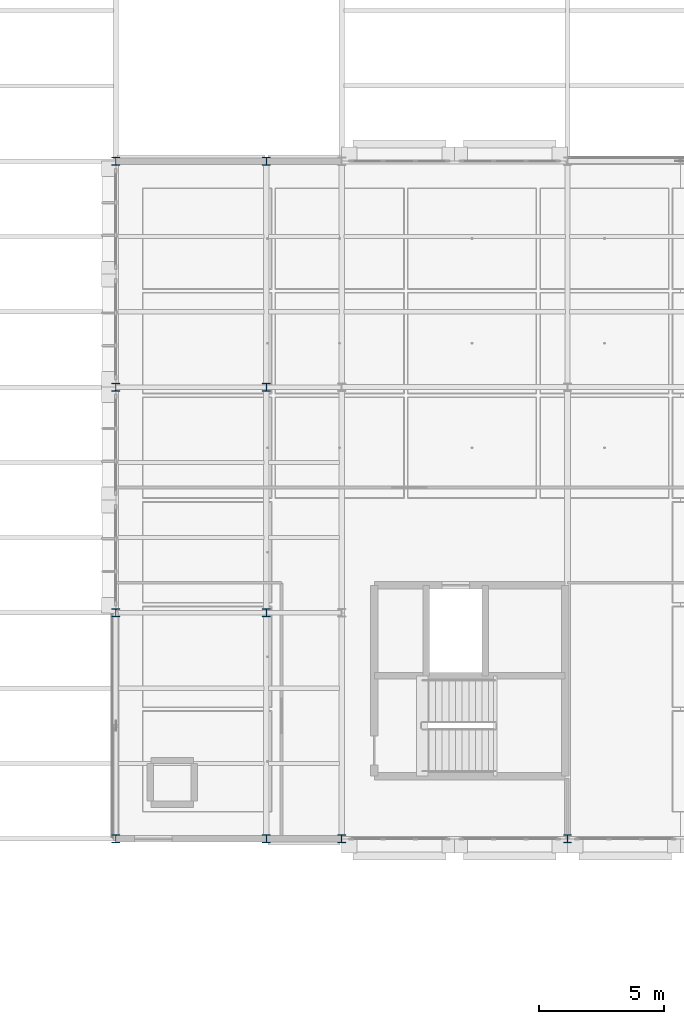
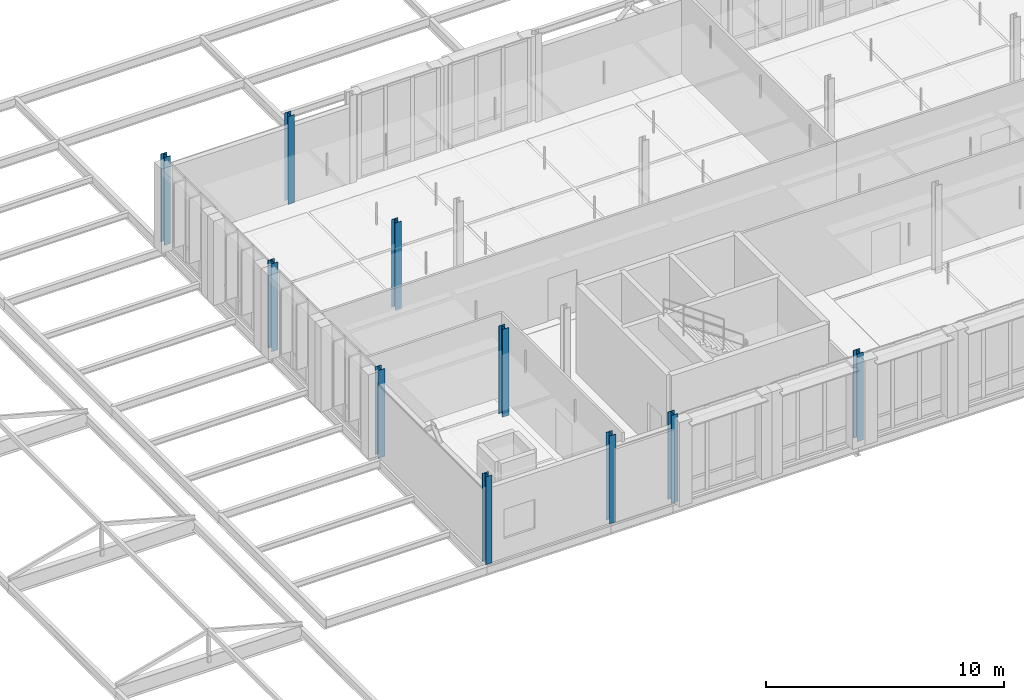
# One storey, part 12 of 140: 10 columns.
"""IFC4 building model written with IfcOpenShell, lengths in metres."""

from ifc_helpers import new_model, si_unit, direction, frame, origin, origin_2d, place, context, subcontext, project, spatial, i_section, extrude, material, material_profile, profile_set, type_object, element, save


model = new_model("IFC4")

# Units and contexts
model_context = context("Model", 3, precision=1e-05, world=origin(), true_north=direction((0.0, 1.0)))
body_context = subcontext(model_context, "Body", "Model", "MODEL_VIEW")
ifc_project = project(units=[si_unit("LENGTHUNIT", "METRE"), si_unit("AREAUNIT", "SQUARE_METRE"), si_unit("VOLUMEUNIT", "CUBIC_METRE"), si_unit("PLANEANGLEUNIT", "RADIAN"), si_unit("MASSUNIT", "GRAM", prefix="KILO"), si_unit("THERMODYNAMICTEMPERATUREUNIT", "KELVIN"), si_unit("POWERUNIT", "WATT")], contexts=[model_context])

# Site, building, storey
site_placement = place(None, origin())
site = spatial("IfcSite", under=ifc_project, at=site_placement, CompositionType="ELEMENT")
building_placement = place(site_placement, origin())
building = spatial("IfcBuilding", under=site, at=building_placement, Name="Tallowbark Science Centre", CompositionType="ELEMENT")
storey_placement = place(building_placement, frame((0.0, 0.0, 9.89990234375)))
storey = spatial("IfcBuildingStorey", under=building, at=storey_placement, Name="L02", CompositionType="ELEMENT", Elevation=9.89990234375)

# Columns
ifc_material = material(Name="Structural Steel Grade 300PLUS (300 MPa)", Category="steel")
ifc_material_profile_1 = material_profile(ifc_material, i_section(OverallWidth=0.30908203125, OverallDepth=0.320556640625, WebThickness=0.013916015625, FlangeThickness=0.021728515625, FilletRadius=0.0166015625, at=origin_2d()), Name="310UC137")
ifc_profile_set_1 = profile_set([ifc_material_profile_1], Name="Structural Steel Grade 300PLUS (300 MPa)")
column_type_1 = type_object("IfcColumnType", Name="COL-UC310B", PredefinedType="COLUMN", material=ifc_profile_set_1)
for number, where, z_axis, x_axis, name in (
    (1, (69.0, 72.0, 0.0), (0.0, 0.0, 1.0), (1.0, 0.0, 0.0), "Column LAB-2_0 L02"),
    (2, (69.0, 81.0, 0.0), (0.0, 0.0, 1.0), (1.0, 0.0, 0.0), "Column LAB-2_1 L02"),
    (3, (69.0, 90.0, 0.0), (0.0, 0.0, 1.0), (1.0, 0.0, 0.0), "Column LAB-2_2 L02"),
    (4, (69.0, 99.0, 0.0), (0.0, 0.0, 1.0), (1.0, 0.0, 0.0), "Column LAB-2_3 L02"),
    (5, (72.0, 72.0, 0.0), (0.0, 0.0, 1.0), (1.0, 0.0, 0.0), "Column LAB-3_0 L02"),
    (6, (81.0, 72.0, 0.0), (0.0, 0.0, 1.0), (1.0, 0.0, 0.0), "Column LAB-4_0 L02"),
):
    element("IfcColumn", number, at=place(storey_placement, frame(where, z_axis=z_axis, x_axis=x_axis)), inside=storey, type_object=column_type_1, Name=name, PredefinedType="COLUMN", context=body_context, shape_type="SweptSolid", body=[
        extrude(i_section(OverallWidth=0.30908203125, OverallDepth=0.320556640625, WebThickness=0.013916015625, FlangeThickness=0.021728515625, FilletRadius=0.0166015625, at=origin_2d()), origin(), (0.0, 0.0, 1.0), 4.5),
    ])
ifc_material_profile_2 = material_profile(ifc_material, i_section(OverallWidth=0.307373046875, OverallDepth=0.314697265625, WebThickness=0.011962890625, FlangeThickness=0.018798828125, FilletRadius=0.0166015625, at=origin_2d()), Name="310UC118")
ifc_profile_set_2 = profile_set([ifc_material_profile_2], Name="Structural Steel Grade 300PLUS (300 MPa)")
column_type_2 = type_object("IfcColumnType", Name="COL-UC310C", PredefinedType="COLUMN", material=ifc_profile_set_2)
for number, where, z_axis, x_axis, name in (
    (7, (63.0, 72.0, 0.0), (0.0, 0.0, 1.0), (1.0, 0.0, 0.0), "Column LAB-1_0 L02"),
    (8, (63.0, 81.0, 0.0), (0.0, 0.0, 1.0), (1.0, 0.0, 0.0), "Column LAB-1_1 L02"),
    (9, (63.0, 90.0, 0.0), (0.0, 0.0, 1.0), (1.0, 0.0, 0.0), "Column LAB-1_2 L02"),
    (10, (63.0, 99.0, 0.0), (0.0, 0.0, 1.0), (1.0, 0.0, 0.0), "Column LAB-1_3 L02"),
):
    element("IfcColumn", number, at=place(storey_placement, frame(where, z_axis=z_axis, x_axis=x_axis)), inside=storey, type_object=column_type_2, Name=name, PredefinedType="COLUMN", context=body_context, shape_type="SweptSolid", body=[
        extrude(i_section(OverallWidth=0.307373046875, OverallDepth=0.314697265625, WebThickness=0.011962890625, FlangeThickness=0.018798828125, FilletRadius=0.0166015625, at=origin_2d()), origin(), (0.0, 0.0, 1.0), 4.5),
    ])

save(model, "model.ifc")
